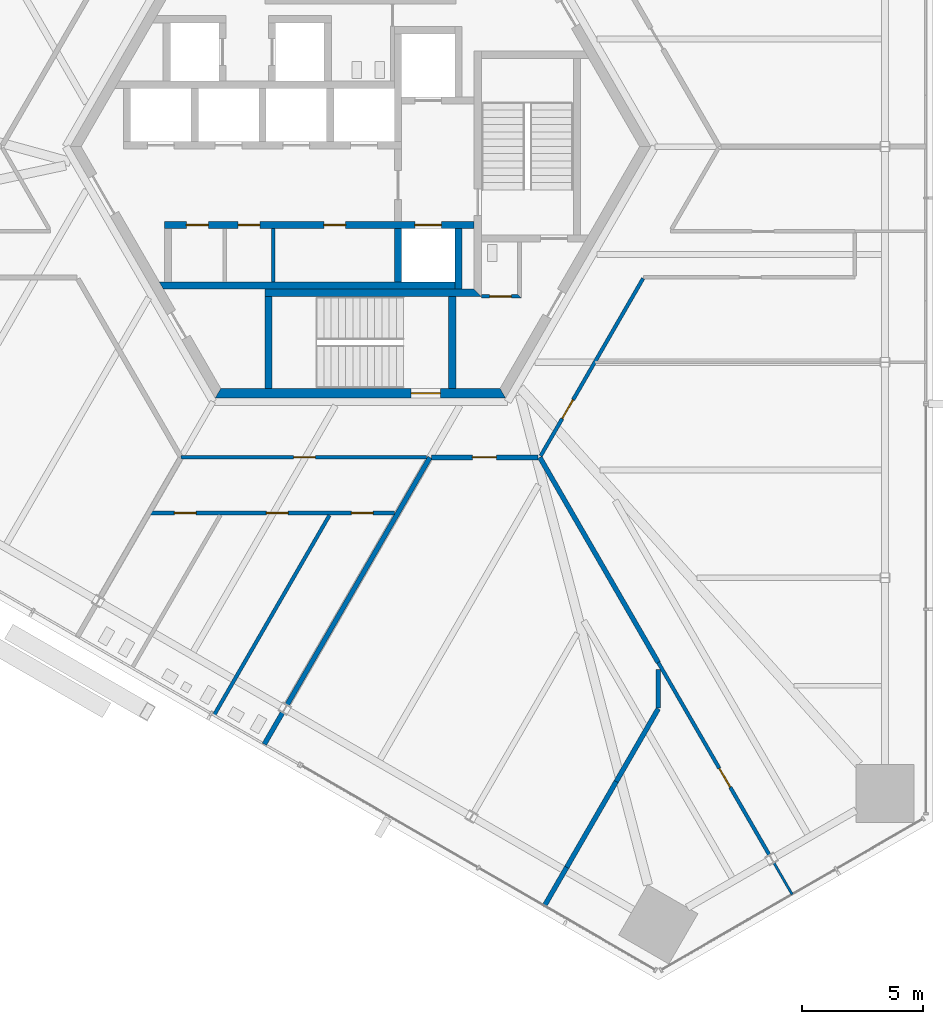
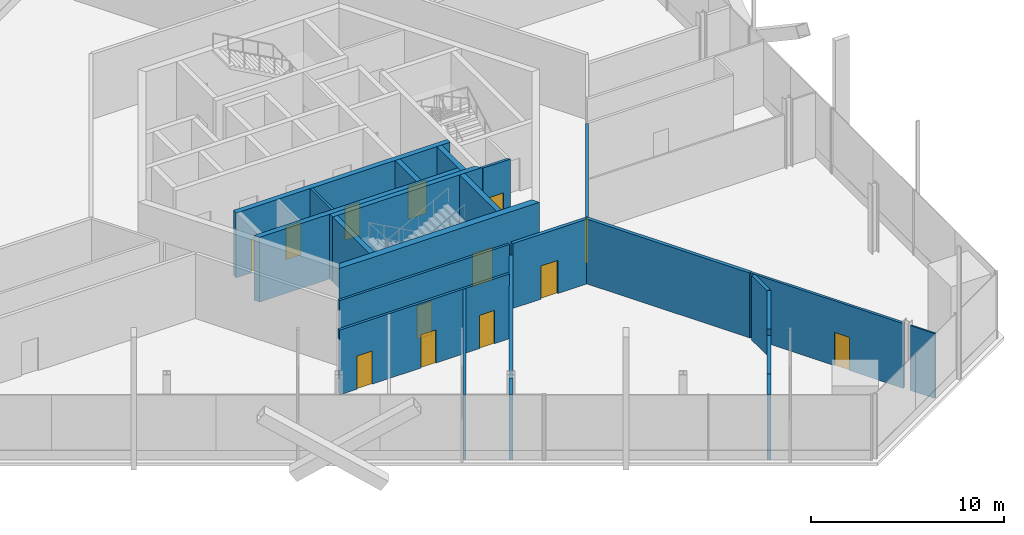
# One storey, part 10 of 18: 24 walls, 13 doors, 13 openings.
"""IFC4 building model written with IfcOpenShell, lengths in metres."""

from ifc_helpers import new_model, si_unit, direction, frame, frame_2d, origin, place, context, subcontext, project, spatial, polyline, rectangle, outline, extrude, source, transform, mapped, material, layer, layer_set, type_object, element, fill, save


model = new_model("IFC4")

# Units and contexts
model_context = context("Model", 3, precision=1e-05, world=origin(), true_north=direction((0.0, 1.0)))
body_context = subcontext(model_context, "Body", "Model", "MODEL_VIEW")
ifc_project = project(units=[si_unit("LENGTHUNIT", "METRE"), si_unit("AREAUNIT", "SQUARE_METRE"), si_unit("VOLUMEUNIT", "CUBIC_METRE"), si_unit("PLANEANGLEUNIT", "RADIAN"), si_unit("MASSUNIT", "GRAM", prefix="KILO")], contexts=[model_context])

# Site, building, storey
site_placement = place(None, origin())
site = spatial("IfcSite", under=ifc_project, at=site_placement, CompositionType="ELEMENT")
building_placement = place(site_placement, origin())
building = spatial("IfcBuilding", under=site, at=building_placement, Name="Triune Harvest Tower", CompositionType="ELEMENT")
storey_placement = place(building_placement, frame((0.0, 0.0, 33.199951171875)))
storey = spatial("IfcBuildingStorey", under=building, at=storey_placement, Name="L07", CompositionType="ELEMENT", Elevation=33.199951171875)

# Walls
ifc_material_1 = material(Name="Gypsum board on steel studs", Category="steel")
ifc_layer_1 = layer(ifc_material_1, 0.199951171875)
ifc_layer_set_1 = layer_set([ifc_layer_1], Name="Gypsum board on steel studs")
wall_type_1 = type_object("IfcWallType", Name="Fire Wall 200 mm", PredefinedType="PARTITIONING", material=ifc_layer_set_1)
wall_1_placement = place(storey_placement, frame((10.5703125, -26.24169921875, 0.0), z_axis=(0.0, 0.0, 1.0), x_axis=(0.499989842173, 0.866031268329, 0.0)))
element("IfcWall", 1, at=wall_1_placement, inside=storey, type_object=wall_type_1, Name="Partition L07 031b", PredefinedType="PARTITIONING", context=body_context, shape_type="SweptSolid", body=[
    extrude(rectangle(XDim=3.4775390625, YDim=0.199951171875, at=frame_2d((1.73876953125, 0.0))), origin(), (0.0, 0.0, 1.0), 4.10009765625),
])
wall_2_placement = place(storey_placement, frame((12.30908203125, -23.199951171875, 0.0), z_axis=(0.0, 0.0, 1.0), x_axis=(0.0, 1.0, 0.0)))
element("IfcWall", 2, at=wall_2_placement, inside=storey, type_object=wall_type_1, Name="Partition L07 044", PredefinedType="PARTITIONING", context=body_context, shape_type="SweptSolid", body=[
    extrude(rectangle(XDim=1.599853515625, YDim=0.199951171875, at=frame_2d((0.7998046875, 0.0))), origin(), (0.0, 0.0, 1.0), 4.10009765625),
])

# Wall, opening, door
ifc_material_2 = material(Name="Concrete 70 MPa", Category="concrete")
ifc_layer_2 = layer(ifc_material_2, 0.39990234375)
ifc_layer_set_2 = layer_set([ifc_layer_2], Name="Concrete 70 MPa")
wall_type_2 = type_object("IfcWallType", Name="Core wall 400", PredefinedType="SHEAR", material=ifc_layer_set_2)
shared_shape_1 = source(origin(), body_context, "Body", "SweptSolid", [
    extrude(outline(polyline([(-0.115478515625, -0.199951171875), (11.884521484375, -0.199951171875), (11.653564453125, 0.199951171875), (0.115478515625, 0.199951171875), (-0.115478515625, -0.199951171875)])), origin(), (0.0, 0.0, 1.0), 4.10009765625),
])
wall_3_placement = place(storey_placement, frame((-5.884521484375, -10.1923828125, 0.0), z_axis=(0.0, 0.0, 1.0), x_axis=(1.0, 0.0, 0.0)))
wall_3 = element("IfcWall", 3, at=wall_3_placement, inside=storey, type_object=wall_type_2, Name="Hexagon 4 wall", PredefinedType="SHEAR", context=body_context, shape_type="MappedRepresentation", body=[
    mapped(shared_shape_1, transform((0.0, 0.0, 0.0), scale=1.0)),
])
opening_1_placement = place(wall_3_placement, frame((7.984619140625, 0.0, 0.0)))
opening_1 = element("IfcOpeningElement", 4, at=opening_1_placement, cuts=wall_3, Name="Opening CD-S2P", PredefinedType="OPENING", context=body_context, shape_type="SweptSolid", body=[
    extrude(rectangle(XDim=1.199951171875, YDim=2.10009765625, at=frame_2d((0.60009765625, 1.050048828125))), frame((0.0, 0.2099609375, 0.0), z_axis=(0.0, -1.0, 0.0), x_axis=(1.0, 0.0, 0.0)), (0.0, 0.0, 1.0), 0.419921875),
])
ifc_material_3 = material(Name="Steel S235", Category="steel")
door_type_1 = type_object("IfcDoorType", Name="Stair door 1200 FD120", OperationType="SINGLE_SWING_LEFT", PredefinedType="DOOR", material=ifc_material_3)
door_1_placement = place(opening_1_placement, frame((1.199951171875, 0.0, 0.0), z_axis=(0.0, 0.0, 1.0), x_axis=(-1.0, 0.0, 0.0)))
door_1 = element("IfcDoor", 5, at=door_1_placement, inside=storey, type_object=door_type_1, Name="Door CD-S2P", OperationType="SINGLE_SWING_RIGHT", OverallHeight=2.10009765625, OverallWidth=1.199951171875, PredefinedType="DOOR", context=body_context, shape_type="SweptSolid", body=[
    extrude(rectangle(XDim=1.199951171875, YDim=2.10009765625, at=frame_2d((0.60009765625, 1.050048828125))), frame((0.0, 0.02490234375, 0.0), z_axis=(0.0, -1.0, 0.0), x_axis=(1.0, 0.0, 0.0)), (0.0, 0.0, 1.0), 0.050048828125),
])
fill(opening_1, door_1)

# Wall
ifc_material_4 = material(Name="Concrete 70 MPa", Category="concrete")
ifc_layer_3 = layer(ifc_material_4, 0.300048828125)
ifc_layer_set_3 = layer_set([ifc_layer_3], Name="Concrete 70 MPa")
wall_type_3 = type_object("IfcWallType", Name="Core wall 300", PredefinedType="SHEAR", material=ifc_layer_set_3)
shared_shape_2 = source(origin(), body_context, "Body", "SweptSolid", [
    extrude(rectangle(XDim=2.5, YDim=0.300048828125, at=frame_2d((1.25, 0.0))), origin(), (0.0, 0.0, 1.0), 4.10009765625),
])
wall_4_placement = place(storey_placement, frame((4.050048828125, -5.889892578125, 0.0), z_axis=(0.0, 0.0, 1.0), x_axis=(0.0, 1.0, 0.0)))
element("IfcWall", 6, at=wall_4_placement, inside=storey, type_object=wall_type_3, Name="Ff2 east wall", PredefinedType="SHEAR", context=body_context, shape_type="MappedRepresentation", body=[
    mapped(shared_shape_2, transform((0.0, 0.0, 0.0), scale=1.0)),
])

# Wall, openings, doors
shared_shape_3 = source(origin(), body_context, "Body", "SweptSolid", [
    extrude(rectangle(XDim=12.800048828125, YDim=0.300048828125, at=frame_2d((6.39990234375, 0.0))), origin(), (0.0, 0.0, 1.0), 4.10009765625),
])
wall_5_placement = place(storey_placement, frame((-8.10009765625, -3.239990234375, 0.0), z_axis=(0.0, 0.0, 1.0), x_axis=(1.0, 0.0, 0.0)))
wall_5 = element("IfcWall", 7, at=wall_5_placement, inside=storey, type_object=wall_type_3, Name="South front wall", PredefinedType="SHEAR", context=body_context, shape_type="MappedRepresentation", body=[
    mapped(shared_shape_3, transform((0.0, 0.0, 0.0), scale=1.0)),
])
opening_2_placement = place(wall_5_placement, frame((0.91259765625, 0.0, 0.0)))
opening_2 = element("IfcOpeningElement", 8, at=opening_2_placement, cuts=wall_5, Name="Opening CD-RS1", PredefinedType="OPENING", context=body_context, shape_type="SweptSolid", body=[
    extrude(rectangle(XDim=0.89990234375, YDim=2.10009765625, at=frame_2d((0.449951171875, 1.050048828125))), frame((0.0, 0.16015625, 0.0), z_axis=(0.0, -1.0, 0.0), x_axis=(1.0, 0.0, 0.0)), (0.0, 0.0, 1.0), 0.320068359375),
])
opening_3_placement = place(wall_5_placement, frame((3.050048828125, 0.0, 0.0)))
opening_3 = element("IfcOpeningElement", 9, at=opening_3_placement, cuts=wall_5, Name="Opening CD-RS2", PredefinedType="OPENING", context=body_context, shape_type="SweptSolid", body=[
    extrude(rectangle(XDim=0.89990234375, YDim=2.10009765625, at=frame_2d((0.449951171875, 1.050048828125))), frame((0.0, 0.16015625, 0.0), z_axis=(0.0, -1.0, 0.0), x_axis=(1.0, 0.0, 0.0)), (0.0, 0.0, 1.0), 0.320068359375),
])
opening_4_placement = place(wall_5_placement, frame((6.58740234375, 0.0, 0.0)))
opening_4 = element("IfcOpeningElement", 10, at=opening_4_placement, cuts=wall_5, Name="Opening CD-RS3", PredefinedType="OPENING", context=body_context, shape_type="SweptSolid", body=[
    extrude(rectangle(XDim=0.89990234375, YDim=2.10009765625, at=frame_2d((0.449951171875, 1.050048828125))), frame((0.0, 0.16015625, 0.0), z_axis=(0.0, -1.0, 0.0), x_axis=(1.0, 0.0, 0.0)), (0.0, 0.0, 1.0), 0.320068359375),
])
opening_5_placement = place(wall_5_placement, frame((10.35009765625, 0.0, 0.0)))
opening_5 = element("IfcOpeningElement", 11, at=opening_5_placement, cuts=wall_5, Name="Opening LD-FF2-07", PredefinedType="OPENING", context=body_context, shape_type="SweptSolid", body=[
    extrude(rectangle(XDim=1.10009765625, YDim=2.10009765625, at=frame_2d((0.550048828125, 1.050048828125))), frame((0.0, 0.16015625, 0.0), z_axis=(0.0, -1.0, 0.0), x_axis=(1.0, 0.0, 0.0)), (0.0, 0.0, 1.0), 0.320068359375),
])
ifc_material_5 = material(Name="Stainless steel AISI 304", Category="steel")
door_type_2 = type_object("IfcDoorType", Name="Landing door 1100 x 2100", OperationType="DOUBLE_DOOR_SLIDING", PredefinedType="DOOR", material=ifc_material_5)
door_2_placement = place(opening_5_placement, origin())
door_2 = element("IfcDoor", 12, at=door_2_placement, inside=storey, type_object=door_type_2, Name="Door LD-FF2-07", OperationType="DOUBLE_DOOR_SLIDING", OverallHeight=2.10009765625, OverallWidth=1.10009765625, PredefinedType="DOOR", context=body_context, shape_type="SweptSolid", body=[
    extrude(rectangle(XDim=1.10009765625, YDim=2.10009765625, at=frame_2d((0.550048828125, 1.050048828125))), frame((0.0, 0.02490234375, 0.0), z_axis=(0.0, -1.0, 0.0), x_axis=(1.0, 0.0, 0.0)), (0.0, 0.0, 1.0), 0.050048828125),
])
fill(opening_5, door_2)
ifc_material_6 = material(Name="Steel S235", Category="steel")
door_type_3 = type_object("IfcDoorType", Name="Riser door 900 FD120", OperationType="SINGLE_SWING_LEFT", PredefinedType="DOOR", material=ifc_material_6)
door_3_placement = place(opening_2_placement, origin())
door_3 = element("IfcDoor", 13, at=door_3_placement, inside=storey, type_object=door_type_3, Name="Door CD-RS1", OperationType="SINGLE_SWING_LEFT", OverallHeight=2.10009765625, OverallWidth=0.89990234375, PredefinedType="DOOR", context=body_context, shape_type="SweptSolid", body=[
    extrude(rectangle(XDim=0.89990234375, YDim=2.10009765625, at=frame_2d((0.449951171875, 1.050048828125))), frame((0.0, 0.02490234375, 0.0), z_axis=(0.0, -1.0, 0.0), x_axis=(1.0, 0.0, 0.0)), (0.0, 0.0, 1.0), 0.050048828125),
])
fill(opening_2, door_3)
door_4_placement = place(opening_3_placement, origin())
door_4 = element("IfcDoor", 14, at=door_4_placement, inside=storey, type_object=door_type_3, Name="Door CD-RS2", OperationType="SINGLE_SWING_LEFT", OverallHeight=2.10009765625, OverallWidth=0.89990234375, PredefinedType="DOOR", context=body_context, shape_type="SweptSolid", body=[
    extrude(rectangle(XDim=0.89990234375, YDim=2.10009765625, at=frame_2d((0.449951171875, 1.050048828125))), frame((0.0, 0.02490234375, 0.0), z_axis=(0.0, -1.0, 0.0), x_axis=(1.0, 0.0, 0.0)), (0.0, 0.0, 1.0), 0.050048828125),
])
fill(opening_3, door_4)
door_5_placement = place(opening_4_placement, origin())
door_5 = element("IfcDoor", 15, at=door_5_placement, inside=storey, type_object=door_type_3, Name="Door CD-RS3", OperationType="SINGLE_SWING_LEFT", OverallHeight=2.10009765625, OverallWidth=0.89990234375, PredefinedType="DOOR", context=body_context, shape_type="SweptSolid", body=[
    extrude(rectangle(XDim=0.89990234375, YDim=2.10009765625, at=frame_2d((0.449951171875, 1.050048828125))), frame((0.0, 0.02490234375, 0.0), z_axis=(0.0, -1.0, 0.0), x_axis=(1.0, 0.0, 0.0)), (0.0, 0.0, 1.0), 0.050048828125),
])
fill(opening_4, door_5)

# Walls
shared_shape_4 = source(origin(), body_context, "Body", "SweptSolid", [
    extrude(outline(polyline([(12.0, -0.14990234375), (-0.039794921875, -0.14990234375), (-0.212890625, 0.14990234375), (12.0, 0.14990234375), (12.0, -0.14990234375)])), origin(), (0.0, 0.0, 1.0), 4.10009765625),
])
wall_6_placement = place(storey_placement, frame((-8.10009765625, -5.739990234375, 0.0), z_axis=(0.0, 0.0, 1.0), x_axis=(1.0, 0.0, 0.0)))
element("IfcWall", 16, at=wall_6_placement, inside=storey, type_object=wall_type_3, Name="South back wall", PredefinedType="SHEAR", context=body_context, shape_type="MappedRepresentation", body=[
    mapped(shared_shape_4, transform((0.0, 0.0, 0.0), scale=1.0)),
])
shared_shape_5 = source(origin(), body_context, "Body", "SweptSolid", [
    extrude(rectangle(XDim=2.2001953125, YDim=0.300048828125, at=frame_2d((1.10009765625, 0.0))), origin(), (0.0, 0.0, 1.0), 4.10009765625),
])
wall_7_placement = place(storey_placement, frame((1.550048828125, -5.590087890625, 0.0), z_axis=(0.0, 0.0, 1.0), x_axis=(0.0, 1.0, 0.0)))
element("IfcWall", 17, at=wall_7_placement, inside=storey, type_object=wall_type_3, Name="Ff2 west wall", PredefinedType="SHEAR", context=body_context, shape_type="MappedRepresentation", body=[
    mapped(shared_shape_5, transform((0.0, 0.0, 0.0), scale=1.0)),
])
shared_shape_6 = source(origin(), body_context, "Body", "SweptSolid", [
    extrude(outline(polyline([(0.0, -0.14990234375), (8.949951171875, -0.14990234375), (8.64990234375, 0.14990234375), (0.0, 0.14990234375), (0.0, -0.14990234375)])), origin(), (0.0, 0.0, 1.0), 4.10009765625),
])
wall_8_placement = place(storey_placement, frame((-3.949951171875, -6.0400390625, 0.0), z_axis=(0.0, 0.0, 1.0), x_axis=(1.0, 0.0, 0.0)))
element("IfcWall", 18, at=wall_8_placement, inside=storey, type_object=wall_type_3, Name="Stair s north wall", PredefinedType="SHEAR", context=body_context, shape_type="MappedRepresentation", body=[
    mapped(shared_shape_6, transform((0.0, 0.0, 0.0), scale=1.0)),
])
shared_shape_7 = source(origin(), body_context, "Body", "SweptSolid", [
    extrude(outline(polyline([(3.800048828125, -0.14990234375), (-0.00439453125, -0.14990234375), (-0.00439453125, 0.14990234375), (3.800048828125, 0.14990234375), (3.800048828125, -0.14990234375)])), origin(), (0.0, 0.0, 1.0), 4.10009765625),
])
for number, where, z_axis, x_axis, name in (
    (19, (-3.800048828125, -9.989990234375, 0.0), (0.0, 0.0, 1.0), (0.0, 1.0, 0.0), "Stair s west wall"),
    (20, (3.800048828125, -9.989990234375, 0.0), (0.0, 0.0, 1.0), (0.0, 1.0, 0.0), "Stair s east wall"),
):
    element("IfcWall", number, at=place(storey_placement, frame(where, z_axis=z_axis, x_axis=x_axis)), inside=storey, type_object=wall_type_3, Name=name, PredefinedType="SHEAR", context=body_context, shape_type="MappedRepresentation", body=[
        mapped(shared_shape_7, transform((0.0, 0.0, 0.0), scale=1.0)),
    ])
ifc_material_7 = material(Name="Concrete masonry unit", Category="masonry")
ifc_layer_4 = layer(ifc_material_7, 0.14990234375)
ifc_layer_set_4 = layer_set([ifc_layer_4], Name="Concrete masonry unit")
wall_type_4 = type_object("IfcWallType", Name="Block partition 150", PredefinedType="PARTITIONING", material=ifc_layer_set_4)
shared_shape_8 = source(origin(), body_context, "Body", "SweptSolid", [
    extrude(rectangle(XDim=2.2001953125, YDim=0.14990234375, at=frame_2d((1.10009765625, 0.0))), origin(), (0.0, 0.0, 1.0), 4.10009765625),
])
wall_9_placement = place(storey_placement, frame((-3.60009765625, -5.590087890625, 0.0), z_axis=(0.0, 0.0, 1.0), x_axis=(0.0, 1.0, 0.0)))
element("IfcWall", 21, at=wall_9_placement, inside=storey, type_object=wall_type_4, Name="Row s part 2 wall", PredefinedType="PARTITIONING", context=body_context, shape_type="MappedRepresentation", body=[
    mapped(shared_shape_8, transform((0.0, 0.0, 0.0), scale=1.0)),
])

# Wall, opening, door
ifc_material_8 = material(Name="Concrete masonry unit", Category="masonry")
ifc_layer_5 = layer(ifc_material_8, 0.14990234375)
ifc_layer_set_5 = layer_set([ifc_layer_5], Name="Concrete masonry unit")
wall_type_5 = type_object("IfcWallType", Name="Block partition 150 unrated", PredefinedType="PARTITIONING", material=ifc_layer_set_5)
shared_shape_9 = source(origin(), body_context, "Body", "SweptSolid", [
    extrude(outline(polyline([(0.0, -0.074951171875), (1.64990234375, -0.074951171875), (1.5, 0.074951171875), (0.0, 0.074951171875), (0.0, -0.074951171875)])), origin(), (0.0, 0.0, 1.0), 4.10009765625),
])
wall_10_placement = place(storey_placement, frame((5.0, -6.18994140625, 0.0), z_axis=(0.0, 0.0, 1.0), x_axis=(1.0, 0.0, 0.0)))
wall_10 = element("IfcWall", 22, at=wall_10_placement, inside=storey, type_object=wall_type_5, Name="Wc acc south wall", PredefinedType="PARTITIONING", context=body_context, shape_type="MappedRepresentation", body=[
    mapped(shared_shape_9, transform((0.0, 0.0, 0.0), scale=1.0)),
])
opening_6_placement = place(wall_10_placement, frame((0.33740234375, 0.0, 0.0)))
opening_6 = element("IfcOpeningElement", 23, at=opening_6_placement, cuts=wall_10, Name="Opening CD-WA", PredefinedType="OPENING", context=body_context, shape_type="SweptSolid", body=[
    extrude(rectangle(XDim=0.89990234375, YDim=2.10009765625, at=frame_2d((0.449951171875, 1.050048828125))), frame((0.0, 0.0849609375, 0.0), z_axis=(0.0, -1.0, 0.0), x_axis=(1.0, 0.0, 0.0)), (0.0, 0.0, 1.0), 0.169921875),
])
ifc_material_9 = material(Name="Timber C24", Category="wood")
door_type_4 = type_object("IfcDoorType", Name="WC door 900", OperationType="SINGLE_SWING_LEFT", PredefinedType="DOOR", material=ifc_material_9)
door_6_placement = place(opening_6_placement, origin())
door_6 = element("IfcDoor", 24, at=door_6_placement, inside=storey, type_object=door_type_4, Name="Door CD-WA", OperationType="SINGLE_SWING_LEFT", OverallHeight=2.10009765625, OverallWidth=0.89990234375, PredefinedType="DOOR", context=body_context, shape_type="SweptSolid", body=[
    extrude(rectangle(XDim=0.89990234375, YDim=2.10009765625, at=frame_2d((0.449951171875, 1.050048828125))), frame((0.0, 0.02490234375, 0.0), z_axis=(0.0, -1.0, 0.0), x_axis=(1.0, 0.0, 0.0)), (0.0, 0.0, 1.0), 0.050048828125),
])
fill(opening_6, door_6)

# Walls
ifc_material_10 = material(Name="Gypsum board on steel studs", Category="steel")
ifc_layer_6 = layer(ifc_material_10, 0.10009765625)
ifc_layer_set_6 = layer_set([ifc_layer_6], Name="Gypsum board on steel studs")
wall_type_6 = type_object("IfcWallType", Name="Partition 100 mm", PredefinedType="PARTITIONING", material=ifc_layer_set_6)
shared_shape_10 = source(origin(), body_context, "Body", "SweptSolid", [
    extrude(rectangle(XDim=1.49853515625, YDim=0.10009765625, at=frame_2d((0.749267578125, 0.0))), origin(), (0.0, 0.0, 1.0), 4.10009765625),
])
wall_11_placement = place(storey_placement, frame((17.0908203125, -29.602294921875, 0.0), z_axis=(0.0, 0.0, 1.0), x_axis=(0.499976292358, -0.866039090965, 0.0)))
element("IfcWall", 25, at=wall_11_placement, inside=storey, type_object=wall_type_6, Name="Partition L07 005", PredefinedType="PARTITIONING", context=body_context, shape_type="MappedRepresentation", body=[
    mapped(shared_shape_10, transform((0.0, 0.0, 0.0), scale=1.0)),
])
shared_shape_11 = source(origin(), body_context, "Body", "SweptSolid", [
    extrude(rectangle(XDim=1.498779296875, YDim=0.199951171875, at=frame_2d((0.74951171875, 0.0))), origin(), (0.0, 0.0, 1.0), 4.10009765625),
])
wall_12_placement = place(storey_placement, frame((-3.96923828125, -24.6953125, 0.0), z_axis=(0.0, 0.0, 1.0), x_axis=(0.499905760005, 0.866079806435, 0.0)))
element("IfcWall", 26, at=wall_12_placement, inside=storey, type_object=wall_type_1, Name="Partition L07 034", PredefinedType="PARTITIONING", context=body_context, shape_type="MappedRepresentation", body=[
    mapped(shared_shape_11, transform((0.0, 0.0, 0.0), scale=1.0)),
])
shared_shape_12 = source(origin(), body_context, "Body", "SweptSolid", [
    extrude(rectangle(XDim=9.789306640625, YDim=0.199951171875, at=frame_2d((4.89453125, 0.0))), origin(), (0.0, 0.0, 1.0), 4.10009765625),
])
wall_13_placement = place(storey_placement, frame((7.41455078125, -12.84228515625, 0.0), z_axis=(0.0, 0.0, 1.0), x_axis=(0.499990870221, -0.866030674801, 0.0)))
element("IfcWall", 27, at=wall_13_placement, inside=storey, type_object=wall_type_1, Name="Partition L07 003", PredefinedType="PARTITIONING", context=body_context, shape_type="MappedRepresentation", body=[
    mapped(shared_shape_12, transform((0.0, 0.0, 0.0), scale=1.0)),
])

# Wall, opening, door
ifc_material_11 = material(Name="Gypsum board on steel studs", Category="steel")
ifc_layer_7 = layer(ifc_material_11, 0.14990234375)
ifc_layer_set_7 = layer_set([ifc_layer_7], Name="Gypsum board on steel studs")
wall_type_7 = type_object("IfcWallType", Name="Fire Partition 150 mm", PredefinedType="PARTITIONING", material=ifc_layer_set_7)
shared_shape_13 = source(origin(), body_context, "Body", "SweptSolid", [
    extrude(rectangle(XDim=9.177001953125, YDim=0.14990234375, at=frame_2d((4.58837890625, 0.0))), origin(), (0.0, 0.0, 1.0), 4.10009765625),
])
wall_14_placement = place(storey_placement, frame((12.30908203125, -21.320068359375, 0.0), z_axis=(0.0, 0.0, 1.0), x_axis=(0.500010309177, -0.866019451697, 0.0)))
wall_14 = element("IfcWall", 28, at=wall_14_placement, inside=storey, type_object=wall_type_7, Name="Partition L07 004", PredefinedType="PARTITIONING", context=body_context, shape_type="MappedRepresentation", body=[
    mapped(shared_shape_13, transform((0.0, 0.0, 0.0), scale=1.0)),
])
opening_7_placement = place(wall_14_placement, frame((5.050048828125, 0.0, 0.0)))
opening_7 = element("IfcOpeningElement", 29, at=opening_7_placement, cuts=wall_14, Name="Opening L07-017", PredefinedType="OPENING", context=body_context, shape_type="SweptSolid", body=[
    extrude(rectangle(XDim=0.89990234375, YDim=2.10009765625, at=frame_2d((0.449951171875, 1.050048828125))), frame((0.0, 0.0849609375, 0.0), z_axis=(0.0, -1.0, 0.0), x_axis=(1.0, 0.0, 0.0)), (0.0, 0.0, 1.0), 0.169921875),
])
ifc_material_12 = material(Name="Timber and steel door set", Category="steel")
door_type_5 = type_object("IfcDoorType", Name="Single leaf door FD30 left hand 900 x 2100", OperationType="SINGLE_SWING_LEFT", PredefinedType="DOOR", material=ifc_material_12)
door_7_placement = place(opening_7_placement, origin())
door_7 = element("IfcDoor", 30, at=door_7_placement, inside=storey, type_object=door_type_5, Name="Door L07-017 Drying Room 07.17", OperationType="SINGLE_SWING_LEFT", OverallHeight=2.10009765625, OverallWidth=0.89990234375, PredefinedType="DOOR", context=body_context, shape_type="SweptSolid", body=[
    extrude(rectangle(XDim=0.89990234375, YDim=2.10009765625, at=frame_2d((0.449951171875, 1.050048828125))), frame((0.0, 0.02490234375, 0.0), z_axis=(0.0, -1.0, 0.0), x_axis=(1.0, 0.0, 0.0)), (0.0, 0.0, 1.0), 0.050048828125),
])
fill(opening_7, door_7)

# Wall, openings, doors
shared_shape_14 = source(origin(), body_context, "Body", "SweptSolid", [
    extrude(rectangle(XDim=10.1484375, YDim=0.14990234375, at=frame_2d((5.07421875, 0.0))), origin(), (0.0, 0.0, 1.0), 4.10009765625),
])
wall_15_placement = place(storey_placement, frame((-8.742431640625, -15.142333984375, 0.0), z_axis=(0.0, 0.0, 1.0), x_axis=(1.0, 0.0, 0.0)))
wall_15 = element("IfcWall", 31, at=wall_15_placement, inside=storey, type_object=wall_type_7, Name="Partition L07 010", PredefinedType="PARTITIONING", context=body_context, shape_type="MappedRepresentation", body=[
    mapped(shared_shape_14, transform((0.0, 0.0, 0.0), scale=1.0)),
])
opening_8_placement = place(wall_15_placement, frame((1.050048828125, 0.0, 0.0)))
opening_8 = element("IfcOpeningElement", 32, at=opening_8_placement, cuts=wall_15, Name="Opening L07-013", PredefinedType="OPENING", context=body_context, shape_type="SweptSolid", body=[
    extrude(rectangle(XDim=0.89990234375, YDim=2.10009765625, at=frame_2d((0.449951171875, 1.050048828125))), frame((0.0, 0.0849609375, 0.0), z_axis=(0.0, -1.0, 0.0), x_axis=(1.0, 0.0, 0.0)), (0.0, 0.0, 1.0), 0.169921875),
])
opening_9_placement = place(wall_15_placement, frame((4.856689453125, 0.0, 0.0)))
opening_9 = element("IfcOpeningElement", 33, at=opening_9_placement, cuts=wall_15, Name="Opening L07-014", PredefinedType="OPENING", context=body_context, shape_type="SweptSolid", body=[
    extrude(rectangle(XDim=0.89990234375, YDim=2.10009765625, at=frame_2d((0.449951171875, 1.050048828125))), frame((0.0, 0.0849609375, 0.0), z_axis=(0.0, -1.0, 0.0), x_axis=(1.0, 0.0, 0.0)), (0.0, 0.0, 1.0), 0.169921875),
])
opening_10_placement = place(wall_15_placement, frame((8.3671875, 0.0, 0.0)))
opening_10 = element("IfcOpeningElement", 34, at=opening_10_placement, cuts=wall_15, Name="Opening L07-015", PredefinedType="OPENING", context=body_context, shape_type="SweptSolid", body=[
    extrude(rectangle(XDim=0.89990234375, YDim=2.10009765625, at=frame_2d((0.449951171875, 1.050048828125))), frame((0.0, 0.0849609375, 0.0), z_axis=(0.0, -1.0, 0.0), x_axis=(1.0, 0.0, 0.0)), (0.0, 0.0, 1.0), 0.169921875),
])
door_8_placement = place(opening_9_placement, origin())
door_8 = element("IfcDoor", 35, at=door_8_placement, inside=storey, type_object=door_type_5, Name="Door L07-014 Men's WC 07.14", OperationType="SINGLE_SWING_LEFT", OverallHeight=2.10009765625, OverallWidth=0.89990234375, PredefinedType="DOOR", context=body_context, shape_type="SweptSolid", body=[
    extrude(rectangle(XDim=0.89990234375, YDim=2.10009765625, at=frame_2d((0.449951171875, 1.050048828125))), frame((0.0, 0.02490234375, 0.0), z_axis=(0.0, -1.0, 0.0), x_axis=(1.0, 0.0, 0.0)), (0.0, 0.0, 1.0), 0.050048828125),
])
fill(opening_9, door_8)
door_9_placement = place(opening_10_placement, origin())
door_9 = element("IfcDoor", 36, at=door_9_placement, inside=storey, type_object=door_type_5, Name="Door L07-015 Accessible WC 07.15", OperationType="SINGLE_SWING_LEFT", OverallHeight=2.10009765625, OverallWidth=0.89990234375, PredefinedType="DOOR", context=body_context, shape_type="SweptSolid", body=[
    extrude(rectangle(XDim=0.89990234375, YDim=2.10009765625, at=frame_2d((0.449951171875, 1.050048828125))), frame((0.0, 0.02490234375, 0.0), z_axis=(0.0, -1.0, 0.0), x_axis=(1.0, 0.0, 0.0)), (0.0, 0.0, 1.0), 0.050048828125),
])
fill(opening_10, door_9)
ifc_material_13 = material(Name="Timber and steel door set", Category="steel")
door_type_6 = type_object("IfcDoorType", Name="Single leaf door FD30 right hand 900 x 2100", OperationType="SINGLE_SWING_RIGHT", PredefinedType="DOOR", material=ifc_material_13)
door_10_placement = place(opening_8_placement, origin())
door_10 = element("IfcDoor", 37, at=door_10_placement, inside=storey, type_object=door_type_6, Name="Door L07-013 Women's WC 07.13", OperationType="SINGLE_SWING_RIGHT", OverallHeight=2.10009765625, OverallWidth=0.89990234375, PredefinedType="DOOR", context=body_context, shape_type="SweptSolid", body=[
    extrude(rectangle(XDim=0.89990234375, YDim=2.10009765625, at=frame_2d((0.449951171875, 1.050048828125))), frame((0.0, 0.02490234375, 0.0), z_axis=(0.0, -1.0, 0.0), x_axis=(1.0, 0.0, 0.0)), (0.0, 0.0, 1.0), 0.050048828125),
])
fill(opening_8, door_10)

# Wall, opening, door
shared_shape_15 = source(origin(), body_context, "Body", "SweptSolid", [
    extrude(rectangle(XDim=10.155029296875, YDim=0.14990234375, at=frame_2d((5.07763671875, 0.0))), origin(), (0.0, 0.0, 1.0), 4.10009765625),
])
wall_16_placement = place(storey_placement, frame((-7.41455078125, -12.84228515625, 0.0), z_axis=(0.0, 0.0, 1.0), x_axis=(1.0, 0.0, 0.0)))
wall_16 = element("IfcWall", 38, at=wall_16_placement, inside=storey, type_object=wall_type_7, Name="Partition L07 011", PredefinedType="PARTITIONING", context=body_context, shape_type="MappedRepresentation", body=[
    mapped(shared_shape_15, transform((0.0, 0.0, 0.0), scale=1.0)),
])
opening_11_placement = place(wall_16_placement, frame((4.64990234375, 0.0, 0.0)))
opening_11 = element("IfcOpeningElement", 39, at=opening_11_placement, cuts=wall_16, Name="Opening L07-012", PredefinedType="OPENING", context=body_context, shape_type="SweptSolid", body=[
    extrude(rectangle(XDim=0.89990234375, YDim=2.10009765625, at=frame_2d((0.449951171875, 1.050048828125))), frame((0.0, 0.0849609375, 0.0), z_axis=(0.0, -1.0, 0.0), x_axis=(1.0, 0.0, 0.0)), (0.0, 0.0, 1.0), 0.169921875),
])
door_11_placement = place(opening_11_placement, origin())
door_11 = element("IfcDoor", 40, at=door_11_placement, inside=storey, type_object=door_type_6, Name="Door L07-012 WC lobby 07.12", OperationType="SINGLE_SWING_RIGHT", OverallHeight=2.10009765625, OverallWidth=0.89990234375, PredefinedType="DOOR", context=body_context, shape_type="SweptSolid", body=[
    extrude(rectangle(XDim=0.89990234375, YDim=2.10009765625, at=frame_2d((0.449951171875, 1.050048828125))), frame((0.0, 0.02490234375, 0.0), z_axis=(0.0, -1.0, 0.0), x_axis=(1.0, 0.0, 0.0)), (0.0, 0.0, 1.0), 0.050048828125),
])
fill(opening_11, door_11)

shared_shape_16 = source(origin(), body_context, "Body", "SweptSolid", [
    extrude(rectangle(XDim=4.404052734375, YDim=0.199951171875, at=frame_2d((2.2021484375, 0.0))), origin(), (0.0, 0.0, 1.0), 4.10009765625),
])
wall_17_placement = place(storey_placement, frame((2.9404296875, -12.84228515625, 0.0), z_axis=(0.0, 0.0, 1.0), x_axis=(1.0, 0.0, 0.0)))
wall_17 = element("IfcWall", 41, at=wall_17_placement, inside=storey, type_object=wall_type_1, Name="Partition L07 012", PredefinedType="PARTITIONING", context=body_context, shape_type="MappedRepresentation", body=[
    mapped(shared_shape_16, transform((0.0, 0.0, 0.0), scale=1.0)),
])
opening_12_placement = place(wall_17_placement, frame((1.683349609375, 0.0, 0.0)))
opening_12 = element("IfcOpeningElement", 42, at=opening_12_placement, cuts=wall_17, Name="Opening L07-016", PredefinedType="OPENING", context=body_context, shape_type="SweptSolid", body=[
    extrude(rectangle(XDim=1.0, YDim=2.10009765625, at=frame_2d((0.5, 1.050048828125))), frame((0.0, 0.10986328125, 0.0), z_axis=(0.0, -1.0, 0.0), x_axis=(1.0, 0.0, 0.0)), (0.0, 0.0, 1.0), 0.219970703125),
])
ifc_material_14 = material(Name="Timber and steel door set", Category="steel")
door_type_7 = type_object("IfcDoorType", Name="Wide single leaf door FD60 right hand 1000 x 2100", OperationType="SINGLE_SWING_RIGHT", PredefinedType="DOOR", material=ifc_material_14)
door_12_placement = place(opening_12_placement, origin())
door_12 = element("IfcDoor", 43, at=door_12_placement, inside=storey, type_object=door_type_7, Name="Door L07-016 Herb Growing Room 07.16", OperationType="SINGLE_SWING_RIGHT", OverallHeight=2.10009765625, OverallWidth=1.0, PredefinedType="DOOR", context=body_context, shape_type="SweptSolid", body=[
    extrude(rectangle(XDim=1.0, YDim=2.10009765625, at=frame_2d((0.5, 1.050048828125))), frame((0.0, 0.02490234375, 0.0), z_axis=(0.0, -1.0, 0.0), x_axis=(1.0, 0.0, 0.0)), (0.0, 0.0, 1.0), 0.050048828125),
])
fill(opening_12, door_12)

shared_shape_17 = source(origin(), body_context, "Body", "SweptSolid", [
    extrude(rectangle(XDim=8.468017578125, YDim=0.14990234375, at=frame_2d((4.23388671875, 0.0))), origin(), (0.0, 0.0, 1.0), 4.10009765625),
])
wall_18_placement = place(storey_placement, frame((7.449462890625, -12.78173828125, 0.0), z_axis=(0.0, 0.0, 1.0), x_axis=(0.499990325971, 0.866030989016, 0.0)))
wall_18 = element("IfcWall", 44, at=wall_18_placement, inside=storey, type_object=wall_type_7, Name="Partition L07 032", PredefinedType="PARTITIONING", context=body_context, shape_type="MappedRepresentation", body=[
    mapped(shared_shape_17, transform((0.0, 0.0, 0.0), scale=1.0)),
])
opening_13_placement = place(wall_18_placement, frame((1.780029296875, 0.0, 0.0)))
opening_13 = element("IfcOpeningElement", 45, at=opening_13_placement, cuts=wall_18, Name="Opening L07-001", PredefinedType="OPENING", context=body_context, shape_type="SweptSolid", body=[
    extrude(rectangle(XDim=0.89990234375, YDim=2.10009765625, at=frame_2d((0.449951171875, 1.050048828125))), frame((0.0, 0.0849609375, 0.0), z_axis=(0.0, -1.0, 0.0), x_axis=(1.0, 0.0, 0.0)), (0.0, 0.0, 1.0), 0.169921875),
])
door_13_placement = place(opening_13_placement, origin())
door_13 = element("IfcDoor", 46, at=door_13_placement, inside=storey, type_object=door_type_6, Name="Door L07-001 Packing Room 07.01", OperationType="SINGLE_SWING_RIGHT", OverallHeight=2.10009765625, OverallWidth=0.89990234375, PredefinedType="DOOR", context=body_context, shape_type="SweptSolid", body=[
    extrude(rectangle(XDim=0.89990234375, YDim=2.10009765625, at=frame_2d((0.449951171875, 1.050048828125))), frame((0.0, 0.02490234375, 0.0), z_axis=(0.0, -1.0, 0.0), x_axis=(1.0, 0.0, 0.0)), (0.0, 0.0, 1.0), 0.050048828125),
])
fill(opening_13, door_13)

# Walls
shared_shape_18 = source(origin(), body_context, "Body", "SweptSolid", [
    extrude(rectangle(XDim=11.801513671875, YDim=0.199951171875, at=frame_2d((5.90087890625, 0.0))), origin(), (0.0, 0.0, 1.0), 3.343017578125),
])
wall_19_placement = place(storey_placement, frame((-3.02685546875, -23.062744140625, 0.0), z_axis=(0.0, 0.0, 1.0), x_axis=(0.499990468534, 0.866030906709, 0.0)))
element("IfcWall", 47, at=wall_19_placement, inside=storey, type_object=wall_type_1, Name="Partition L07 035", PredefinedType="PARTITIONING", context=body_context, shape_type="MappedRepresentation", body=[
    mapped(shared_shape_18, transform((0.0, 0.0, 0.0), scale=1.0)),
])
shared_shape_19 = source(origin(), body_context, "Body", "SweptSolid", [
    extrude(rectangle(XDim=9.53515625, YDim=0.14990234375, at=frame_2d((4.767578125, 0.0))), origin(), (0.0, 0.0, 1.0), 4.10009765625),
])
wall_20_placement = place(storey_placement, frame((-6.0478515625, -23.4951171875, 0.0), z_axis=(0.0, 0.0, 1.0), x_axis=(0.500005412377, 0.866022278924, 0.0)))
element("IfcWall", 48, at=wall_20_placement, inside=storey, type_object=wall_type_7, Name="Partition L07 036", PredefinedType="PARTITIONING", context=body_context, shape_type="MappedRepresentation", body=[
    mapped(shared_shape_19, transform((0.0, 0.0, 0.0), scale=1.0)),
])
shared_shape_20 = source(origin(), body_context, "Body", "SweptSolid", [
    extrude(rectangle(XDim=4.08642578125, YDim=0.199951171875, at=frame_2d((2.043212890625, 0.0))), origin(), (0.0, 0.0, 1.0), 3.683349609375),
])
wall_21_placement = place(storey_placement, frame((8.527099609375, -29.780517578125, 0.0), z_axis=(0.0, 0.0, 1.0), x_axis=(0.500013794443, 0.866017439413, 0.0)))
element("IfcWall", 49, at=wall_21_placement, inside=storey, type_object=wall_type_1, Name="Partition L07 031a", PredefinedType="PARTITIONING", context=body_context, shape_type="MappedRepresentation", body=[
    mapped(shared_shape_20, transform((0.0, 0.0, 0.0), scale=1.0)),
])
shared_shape_21 = source(origin(), body_context, "Body", "SweptSolid", [
    extrude(rectangle(XDim=1.84423828125, YDim=0.199951171875, at=frame_2d((0.922119140625, 0.0))), origin(), (0.0, 0.0, 1.0), 4.10009765625),
])
wall_22_placement = place(storey_placement, frame((7.60498046875, -31.377685546875, 0.0), z_axis=(0.0, 0.0, 1.0), x_axis=(0.499997472108, 0.866026863259, 0.0)))
element("IfcWall", 50, at=wall_22_placement, inside=storey, type_object=wall_type_1, Name="Partition L07 031", PredefinedType="PARTITIONING", context=body_context, shape_type="MappedRepresentation", body=[
    mapped(shared_shape_21, transform((0.0, 0.0, 0.0), scale=1.0)),
])

save(model, "model.ifc")
